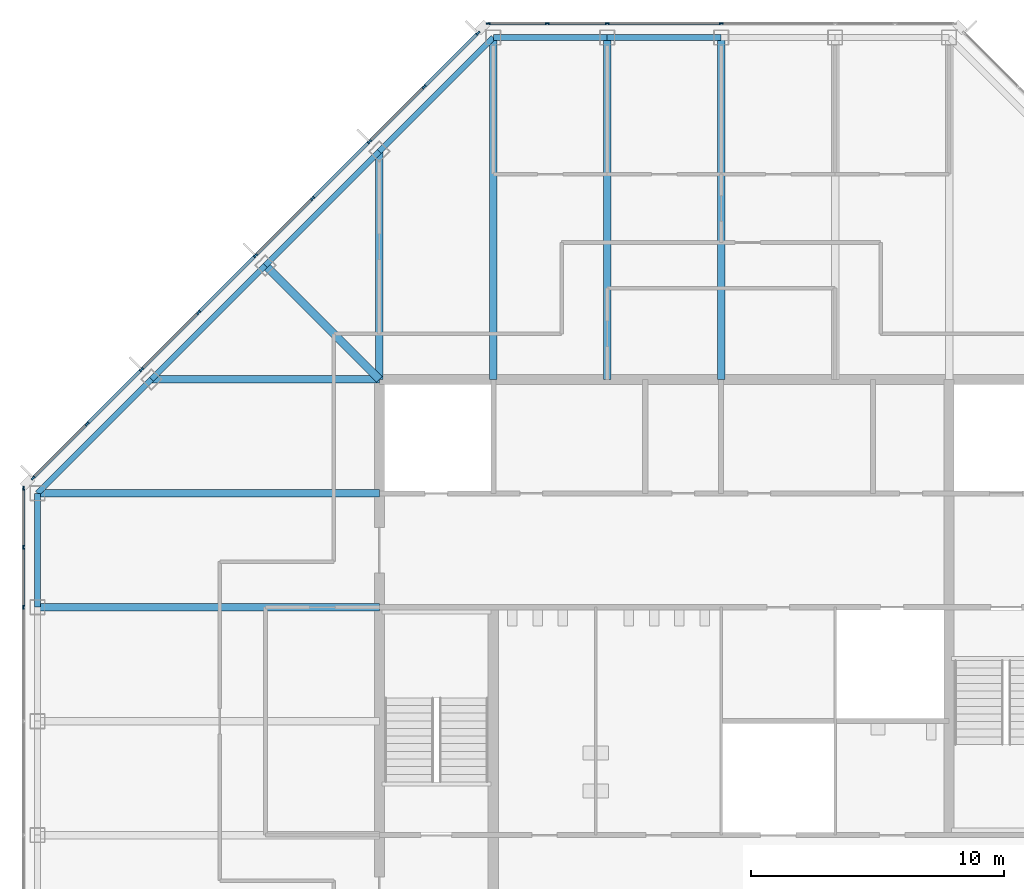
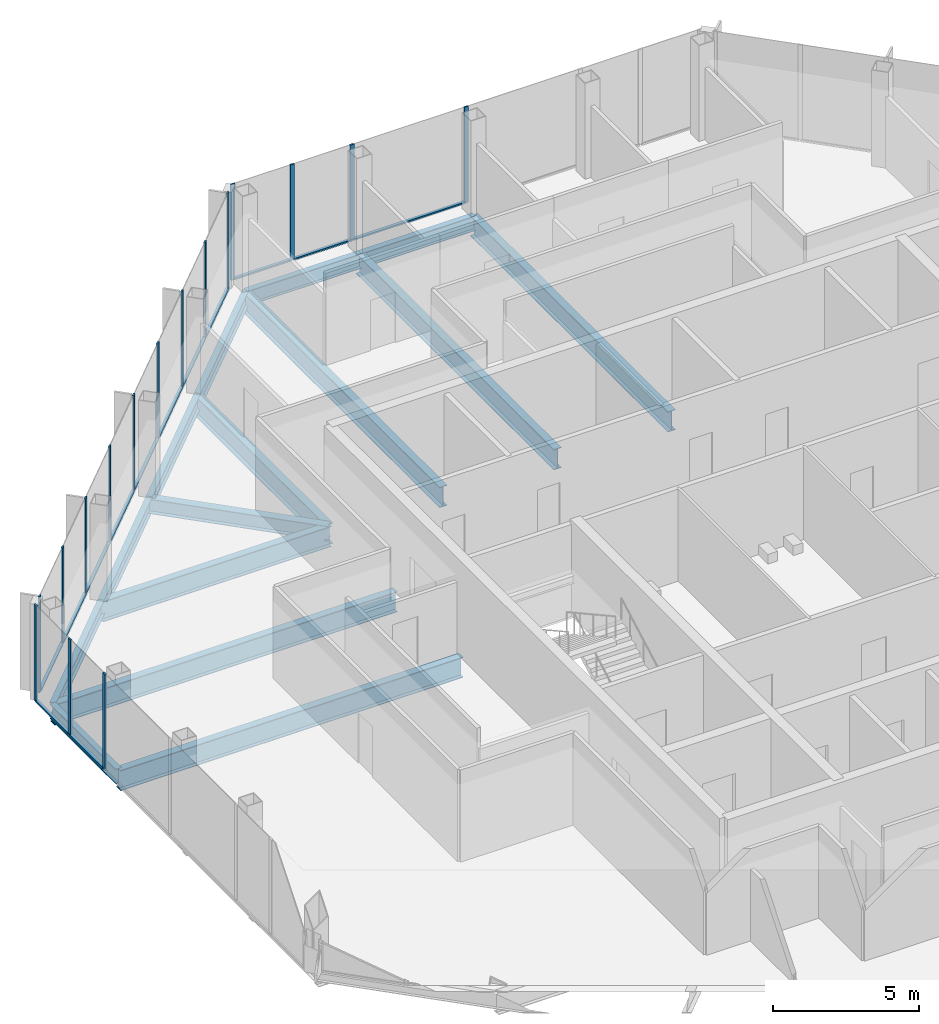
# One storey, part 6 of 14: 29 members, 15 beams, 3 elements without a shape of their own.
"""IFC4 building model written with IfcOpenShell, lengths in metres."""

from ifc_helpers import new_model, si_unit, direction, frame, origin, origin_2d, place, context, subcontext, project, spatial, rectangle, i_section, extrude, material, material_profile, profile_set, type_object, element, aggregate, save


model = new_model("IFC4")

# Units and contexts
model_context = context("Model", 3, precision=1e-05, world=origin(), true_north=direction((0.0, 1.0)))
body_context = subcontext(model_context, "Body", "Model", "MODEL_VIEW")
ifc_project = project(units=[si_unit("LENGTHUNIT", "METRE"), si_unit("AREAUNIT", "SQUARE_METRE"), si_unit("VOLUMEUNIT", "CUBIC_METRE"), si_unit("PLANEANGLEUNIT", "RADIAN"), si_unit("MASSUNIT", "GRAM", prefix="KILO")], contexts=[model_context])

# Site, building, storey
site_placement = place(None, origin())
site = spatial("IfcSite", under=ifc_project, at=site_placement, CompositionType="ELEMENT")
building_placement = place(site_placement, origin())
building = spatial("IfcBuilding", under=site, at=building_placement, Name="Corais Broadcast Tower", CompositionType="ELEMENT")
storey_placement = place(building_placement, frame((0.0, 0.0, 278.60009765625)))
storey = spatial("IfcBuildingStorey", under=building, at=storey_placement, Name="L65", CompositionType="ELEMENT", Elevation=278.60009765625)

# Beams
ifc_material_1 = material(Name="Steel ASTM A572 Grade 50", Category="steel")
ifc_material_profile_1 = material_profile(ifc_material_1, i_section(OverallWidth=0.323974609375, OverallDepth=0.611083984375, WebThickness=0.0126953125, FlangeThickness=0.01904296875, at=origin_2d()), Name="W610x155")
ifc_profile_set_1 = profile_set([ifc_material_profile_1], Name="Steel ASTM A572 Grade 50")
beam_type_1 = type_object("IfcBeamType", Name="Corner diagonal W610x155", PredefinedType="BEAM", material=ifc_profile_set_1)
beam_1_placement = place(storey_placement, frame((9.0, 45.0, -0.465576171875), z_axis=(0.707106781187, -0.707106781187, 0.0), x_axis=(0.707106781187, 0.707106781187, 0.0)))
element("IfcBeam", 1, at=beam_1_placement, inside=storey, type_object=beam_type_1, Name="B6 L/5 to K/6", PredefinedType="BEAM", context=body_context, shape_type="SweptSolid", body=[
    extrude(i_section(OverallWidth=0.323974609375, OverallDepth=0.611083984375, WebThickness=0.0126953125, FlangeThickness=0.01904296875, at=origin_2d()), origin(), (0.0, 0.0, 1.0), 6.364013671875),
])
ifc_material_2 = material(Name="Steel ASTM A572 Grade 50", Category="steel")
ifc_material_profile_2 = material_profile(ifc_material_2, i_section(OverallWidth=0.2939453125, OverallDepth=0.85107421875, WebThickness=0.01611328125, FlangeThickness=0.02685546875, at=origin_2d()), Name="W840x226")
ifc_profile_set_2 = profile_set([ifc_material_profile_2], Name="Steel ASTM A572 Grade 50")
beam_type_2 = type_object("IfcBeamType", Name="Floor beam W840x226", PredefinedType="BEAM", material=ifc_profile_set_2)
for number, where, z_axis, x_axis, name in (
    (2, (0.0, 31.5, -0.585693359375), (1.0, 0.0, 0.0), (0.0, 1.0, 0.0), "B1 H/3 to H/6"),
    (3, (0.0, 36.0, -0.585693359375), (1.0, 0.0, 0.0), (0.0, 1.0, 0.0), "B1 J/3 to J/6"),
):
    element("IfcBeam", number, at=place(storey_placement, frame(where, z_axis=z_axis, x_axis=x_axis)), inside=storey, type_object=beam_type_2, Name=name, PredefinedType="BEAM", context=body_context, shape_type="SweptSolid", body=[
        extrude(i_section(OverallWidth=0.2939453125, OverallDepth=0.85107421875, WebThickness=0.01611328125, FlangeThickness=0.02685546875, at=origin_2d()), origin(), (0.0, 0.0, 1.0), 13.5),
    ])
beam_2_placement = place(storey_placement, frame((13.5, 49.5, -0.585693359375), z_axis=(0.0, -1.0, 0.0), x_axis=(1.0, 0.0, 0.0)))
element("IfcBeam", 4, at=beam_2_placement, inside=storey, type_object=beam_type_2, Name="B1 M/6 to K/6", PredefinedType="BEAM", context=body_context, shape_type="SweptSolid", body=[
    extrude(i_section(OverallWidth=0.2939453125, OverallDepth=0.85107421875, WebThickness=0.01611328125, FlangeThickness=0.02685546875, at=origin_2d()), origin(), (0.0, 0.0, 1.0), 9.0),
])
for number, where, z_axis, x_axis, name in (
    (5, (18.0, 54.0, -0.585693359375), (0.0, -1.0, 0.0), (1.0, 0.0, 0.0), "B1 N/7 to K/7"),
    (6, (22.5, 54.0, -0.585693359375), (0.0, -1.0, 0.0), (1.0, 0.0, 0.0), "B1 N/8 to K/8"),
    (7, (27.0, 54.0, -0.585693359375), (0.0, -1.0, 0.0), (1.0, 0.0, 0.0), "B1 N/9 to K/9"),
):
    element("IfcBeam", number, at=place(storey_placement, frame(where, z_axis=z_axis, x_axis=x_axis)), inside=storey, type_object=beam_type_2, Name=name, PredefinedType="BEAM", context=body_context, shape_type="SweptSolid", body=[
        extrude(i_section(OverallWidth=0.2939453125, OverallDepth=0.85107421875, WebThickness=0.01611328125, FlangeThickness=0.02685546875, at=origin_2d()), origin(), (0.0, 0.0, 1.0), 13.5),
    ])
beam_3_placement = place(storey_placement, frame((4.5, 40.5, -0.585693359375), z_axis=(1.0, 0.0, 0.0), x_axis=(0.0, 1.0, 0.0)))
element("IfcBeam", 8, at=beam_3_placement, inside=storey, type_object=beam_type_2, Name="B1 K/4 to K/6", PredefinedType="BEAM", context=body_context, shape_type="SweptSolid", body=[
    extrude(i_section(OverallWidth=0.2939453125, OverallDepth=0.85107421875, WebThickness=0.01611328125, FlangeThickness=0.02685546875, at=origin_2d()), origin(), (0.0, 0.0, 1.0), 9.0),
])

# Curtain wall, members
ifc_material_3 = material(Name="Aluminium and glass", Category="aluminium")
curtain_wall_type = type_object("IfcCurtainWallType", Name="Unitised fritted curtain wall CW3", PredefinedType="NOTDEFINED", material=ifc_material_3)
curtain_wall_1_placement = place(storey_placement, origin())
curtain_wall_1 = element("IfcCurtainWall", 9, at=curtain_wall_1_placement, inside=storey, type_object=curtain_wall_type, Name="CW3 curtain wall L65 2", PredefinedType="NOTDEFINED")
ifc_material_4 = material(Name="Aluminium 6063-T6", Category="aluminium")
ifc_material_profile_3 = material_profile(ifc_material_4, rectangle(XDim=0.06494140625, YDim=0.159912109375, at=origin_2d()), Name="Mullion CW3 65x160")
ifc_profile_set_3 = profile_set([ifc_material_profile_3], Name="Aluminium 6063-T6")
member_type_1 = type_object("IfcMemberType", Name="Mullion CW3 65x160", PredefinedType="MULLION", material=ifc_profile_set_3)
member_1_placement = place(storey_placement, frame((-0.550048828125, 31.5, 0.0), z_axis=(0.0, 0.0, 1.0), x_axis=(-1.0, 0.0, 0.0)))
member_1 = element("IfcMember", 10, at=member_1_placement, type_object=member_type_1, Name="CW3 mullion 5", PredefinedType="MULLION", context=body_context, shape_type="SweptSolid", body=[
    extrude(rectangle(XDim=0.06494140625, YDim=0.159912109375, at=origin_2d()), origin(), (0.0, 0.0, 1.0), 4.0),
])
member_2_placement = place(storey_placement, frame((-0.550048828125, 33.864013671875, 0.0), z_axis=(0.0, 0.0, 1.0), x_axis=(-1.0, 0.0, 0.0)))
member_2 = element("IfcMember", 11, at=member_2_placement, type_object=member_type_1, Name="CW3 mullion 6", PredefinedType="MULLION", context=body_context, shape_type="SweptSolid", body=[
    extrude(rectangle(XDim=0.06494140625, YDim=0.159912109375, at=origin_2d()), origin(), (0.0, 0.0, 1.0), 4.0),
])
member_3_placement = place(storey_placement, frame((-0.550048828125, 36.1953125, 0.0), z_axis=(0.0, 0.0, 1.0), x_axis=(-1.0, 0.0, 0.0)))
member_3 = element("IfcMember", 12, at=member_3_placement, type_object=member_type_1, Name="CW3 mullion 7", PredefinedType="MULLION", context=body_context, shape_type="SweptSolid", body=[
    extrude(rectangle(XDim=0.06494140625, YDim=0.159912109375, at=origin_2d()), origin(), (0.0, 0.0, 1.0), 4.0),
])

curtain_wall_2_placement = place(storey_placement, origin())
curtain_wall_2 = element("IfcCurtainWall", 13, at=curtain_wall_2_placement, inside=storey, type_object=curtain_wall_type, Name="CW3 curtain wall L65 3", PredefinedType="NOTDEFINED")
member_4_placement = place(storey_placement, frame((-0.17333984375, 36.6044921875, 0.0), z_axis=(0.0, 0.0, 1.0), x_axis=(-0.707106781187, 0.707106781187, 0.0)))
member_4 = element("IfcMember", 14, at=member_4_placement, type_object=member_type_1, Name="CW3 mullion 1", PredefinedType="MULLION", context=body_context, shape_type="SweptSolid", body=[
    extrude(rectangle(XDim=0.06494140625, YDim=0.159912109375, at=origin_2d()), origin(), (0.0, 0.0, 1.0), 4.0),
])
member_5_placement = place(storey_placement, frame((1.957275390625, 38.735107421875, 0.0), z_axis=(0.0, 0.0, 1.0), x_axis=(-0.707106781187, 0.707106781187, 0.0)))
member_5 = element("IfcMember", 15, at=member_5_placement, type_object=member_type_1, Name="CW3 mullion 2", PredefinedType="MULLION", context=body_context, shape_type="SweptSolid", body=[
    extrude(rectangle(XDim=0.06494140625, YDim=0.159912109375, at=origin_2d()), origin(), (0.0, 0.0, 1.0), 4.0),
])
member_6_placement = place(storey_placement, frame((4.111083984375, 40.888916015625, 0.0), z_axis=(0.0, 0.0, 1.0), x_axis=(-0.707106781187, 0.707106781187, 0.0)))
member_6 = element("IfcMember", 16, at=member_6_placement, type_object=member_type_1, Name="CW3 mullion 3", PredefinedType="MULLION", context=body_context, shape_type="SweptSolid", body=[
    extrude(rectangle(XDim=0.06494140625, YDim=0.159912109375, at=origin_2d()), origin(), (0.0, 0.0, 1.0), 4.0),
])
member_7_placement = place(storey_placement, frame((6.361083984375, 43.138916015625, 0.0), z_axis=(0.0, 0.0, 1.0), x_axis=(-0.707106781187, 0.707106781187, 0.0)))
member_7 = element("IfcMember", 17, at=member_7_placement, type_object=member_type_1, Name="CW3 mullion 4", PredefinedType="MULLION", context=body_context, shape_type="SweptSolid", body=[
    extrude(rectangle(XDim=0.06494140625, YDim=0.159912109375, at=origin_2d()), origin(), (0.0, 0.0, 1.0), 4.0),
])
member_8_placement = place(storey_placement, frame((8.611083984375, 45.388916015625, 0.0), z_axis=(0.0, 0.0, 1.0), x_axis=(-0.707106781187, 0.707106781187, 0.0)))
member_8 = element("IfcMember", 18, at=member_8_placement, type_object=member_type_1, Name="CW3 mullion 5", PredefinedType="MULLION", context=body_context, shape_type="SweptSolid", body=[
    extrude(rectangle(XDim=0.06494140625, YDim=0.159912109375, at=origin_2d()), origin(), (0.0, 0.0, 1.0), 4.0),
])
member_9_placement = place(storey_placement, frame((10.861083984375, 47.638916015625, 0.0), z_axis=(0.0, 0.0, 1.0), x_axis=(-0.707106781187, 0.707106781187, 0.0)))
member_9 = element("IfcMember", 19, at=member_9_placement, type_object=member_type_1, Name="CW3 mullion 6", PredefinedType="MULLION", context=body_context, shape_type="SweptSolid", body=[
    extrude(rectangle(XDim=0.06494140625, YDim=0.159912109375, at=origin_2d()), origin(), (0.0, 0.0, 1.0), 4.0),
])
member_10_placement = place(storey_placement, frame((13.111083984375, 49.888916015625, 0.0), z_axis=(0.0, 0.0, 1.0), x_axis=(-0.707106781187, 0.707106781187, 0.0)))
member_10 = element("IfcMember", 20, at=member_10_placement, type_object=member_type_1, Name="CW3 mullion 7", PredefinedType="MULLION", context=body_context, shape_type="SweptSolid", body=[
    extrude(rectangle(XDim=0.06494140625, YDim=0.159912109375, at=origin_2d()), origin(), (0.0, 0.0, 1.0), 4.0),
])
member_11_placement = place(storey_placement, frame((15.264892578125, 52.042724609375, 0.0), z_axis=(0.0, 0.0, 1.0), x_axis=(-0.707106781187, 0.707106781187, 0.0)))
member_11 = element("IfcMember", 21, at=member_11_placement, type_object=member_type_1, Name="CW3 mullion 8", PredefinedType="MULLION", context=body_context, shape_type="SweptSolid", body=[
    extrude(rectangle(XDim=0.06494140625, YDim=0.159912109375, at=origin_2d()), origin(), (0.0, 0.0, 1.0), 4.0),
])
member_12_placement = place(storey_placement, frame((17.3955078125, 54.17333984375, 0.0), z_axis=(0.0, 0.0, 1.0), x_axis=(-0.707106781187, 0.707106781187, 0.0)))
member_12 = element("IfcMember", 22, at=member_12_placement, type_object=member_type_1, Name="CW3 mullion 9", PredefinedType="MULLION", context=body_context, shape_type="SweptSolid", body=[
    extrude(rectangle(XDim=0.06494140625, YDim=0.159912109375, at=origin_2d()), origin(), (0.0, 0.0, 1.0), 4.0),
])

curtain_wall_3_placement = place(storey_placement, origin())
curtain_wall_3 = element("IfcCurtainWall", 23, at=curtain_wall_3_placement, inside=storey, type_object=curtain_wall_type, Name="CW3 curtain wall L65 4", PredefinedType="NOTDEFINED")
member_13_placement = place(storey_placement, frame((17.8046875, 54.550048828125, 0.0), z_axis=(0.0, 0.0, 1.0), x_axis=(0.0, 1.0, 0.0)))
member_13 = element("IfcMember", 24, at=member_13_placement, type_object=member_type_1, Name="CW3 mullion 1", PredefinedType="MULLION", context=body_context, shape_type="SweptSolid", body=[
    extrude(rectangle(XDim=0.06494140625, YDim=0.159912109375, at=origin_2d()), origin(), (0.0, 0.0, 1.0), 4.0),
])
member_14_placement = place(storey_placement, frame((20.135986328125, 54.550048828125, 0.0), z_axis=(0.0, 0.0, 1.0), x_axis=(0.0, 1.0, 0.0)))
member_14 = element("IfcMember", 25, at=member_14_placement, type_object=member_type_1, Name="CW3 mullion 2", PredefinedType="MULLION", context=body_context, shape_type="SweptSolid", body=[
    extrude(rectangle(XDim=0.06494140625, YDim=0.159912109375, at=origin_2d()), origin(), (0.0, 0.0, 1.0), 4.0),
])
member_15_placement = place(storey_placement, frame((22.5, 54.550048828125, 0.0), z_axis=(0.0, 0.0, 1.0), x_axis=(0.0, 1.0, 0.0)))
member_15 = element("IfcMember", 26, at=member_15_placement, type_object=member_type_1, Name="CW3 mullion 3", PredefinedType="MULLION", context=body_context, shape_type="SweptSolid", body=[
    extrude(rectangle(XDim=0.06494140625, YDim=0.159912109375, at=origin_2d()), origin(), (0.0, 0.0, 1.0), 4.0),
])
member_16_placement = place(storey_placement, frame((27.0, 54.550048828125, 0.0), z_axis=(0.0, 0.0, 1.0), x_axis=(0.0, 1.0, 0.0)))
member_16 = element("IfcMember", 27, at=member_16_placement, type_object=member_type_1, Name="CW3 mullion 4", PredefinedType="MULLION", context=body_context, shape_type="SweptSolid", body=[
    extrude(rectangle(XDim=0.06494140625, YDim=0.159912109375, at=origin_2d()), origin(), (0.0, 0.0, 1.0), 4.0),
])

# Beams
ifc_material_5 = material(Name="Steel ASTM A572 Grade 50", Category="steel")
ifc_material_profile_4 = material_profile(ifc_material_5, i_section(OverallWidth=0.22998046875, OverallDepth=0.616943359375, WebThickness=0.01318359375, FlangeThickness=0.022216796875, at=origin_2d()), Name="W610x140")
ifc_profile_set_4 = profile_set([ifc_material_profile_4], Name="Steel ASTM A572 Grade 50")
beam_type_3 = type_object("IfcBeamType", Name="Spandrel W610x140", PredefinedType="BEAM", material=ifc_profile_set_4)
beam_4_placement = place(storey_placement, frame((0.0, 36.0, -0.468505859375), z_axis=(0.0, -1.0, 0.0), x_axis=(1.0, 0.0, 0.0)))
element("IfcBeam", 28, at=beam_4_placement, inside=storey, type_object=beam_type_3, Name="SB3 J/3 to H/3", PredefinedType="BEAM", context=body_context, shape_type="SweptSolid", body=[
    extrude(i_section(OverallWidth=0.22998046875, OverallDepth=0.616943359375, WebThickness=0.01318359375, FlangeThickness=0.022216796875, at=origin_2d()), origin(), (0.0, 0.0, 1.0), 4.5),
])
for number, where, z_axis, x_axis, name in (
    (29, (13.5, 49.5, -0.468505859375), (-0.707106781187, -0.707106781187, 0.0), (0.707106781187, -0.707106781187, 0.0), "SB3 M/6 to L/5"),
    (30, (18.0, 54.0, -0.468505859375), (-0.707106781187, -0.707106781187, 0.0), (0.707106781187, -0.707106781187, 0.0), "SB3 N/7 to M/6"),
):
    element("IfcBeam", number, at=place(storey_placement, frame(where, z_axis=z_axis, x_axis=x_axis)), inside=storey, type_object=beam_type_3, Name=name, PredefinedType="BEAM", context=body_context, shape_type="SweptSolid", body=[
        extrude(i_section(OverallWidth=0.22998046875, OverallDepth=0.616943359375, WebThickness=0.01318359375, FlangeThickness=0.022216796875, at=origin_2d()), origin(), (0.0, 0.0, 1.0), 6.364013671875),
    ])
for number, where, z_axis, x_axis, name in (
    (31, (22.5, 54.0, -0.468505859375), (-1.0, 0.0, 0.0), (0.0, -1.0, 0.0), "SB3 N/8 to N/7"),
    (32, (27.0, 54.0, -0.468505859375), (-1.0, 0.0, 0.0), (0.0, -1.0, 0.0), "SB3 N/9 to N/8"),
):
    element("IfcBeam", number, at=place(storey_placement, frame(where, z_axis=z_axis, x_axis=x_axis)), inside=storey, type_object=beam_type_3, Name=name, PredefinedType="BEAM", context=body_context, shape_type="SweptSolid", body=[
        extrude(i_section(OverallWidth=0.22998046875, OverallDepth=0.616943359375, WebThickness=0.01318359375, FlangeThickness=0.022216796875, at=origin_2d()), origin(), (0.0, 0.0, 1.0), 4.5),
    ])
for number, where, z_axis, x_axis, name in (
    (33, (4.5, 40.5, -0.468505859375), (-0.707106781187, -0.707106781187, 0.0), (0.707106781187, -0.707106781187, 0.0), "SB3 K/4 to J/3"),
    (34, (9.0, 45.0, -0.468505859375), (-0.707106781187, -0.707106781187, 0.0), (0.707106781187, -0.707106781187, 0.0), "SB3 L/5 to K/4"),
):
    element("IfcBeam", number, at=place(storey_placement, frame(where, z_axis=z_axis, x_axis=x_axis)), inside=storey, type_object=beam_type_3, Name=name, PredefinedType="BEAM", context=body_context, shape_type="SweptSolid", body=[
        extrude(i_section(OverallWidth=0.22998046875, OverallDepth=0.616943359375, WebThickness=0.01318359375, FlangeThickness=0.022216796875, at=origin_2d()), origin(), (0.0, 0.0, 1.0), 6.364013671875),
    ])

# Member
ifc_material_6 = material(Name="Aluminium 6063-T6", Category="aluminium")
ifc_material_profile_5 = material_profile(ifc_material_6, rectangle(XDim=0.1201171875, YDim=0.06494140625, at=origin_2d()), Name="Transom CW3 65x120")
ifc_profile_set_5 = profile_set([ifc_material_profile_5], Name="Aluminium 6063-T6")
member_type_2 = type_object("IfcMemberType", Name="Transom CW3 65x120", PredefinedType="USERDEFINED", material=ifc_profile_set_5)
member_17_placement = place(storey_placement, frame((-0.550048828125, 31.532470703125, 0.032470703125), z_axis=(0.0, 1.0, 0.0), x_axis=(-1.0, 0.0, 0.0)))
member_17 = element("IfcMember", 35, at=member_17_placement, type_object=member_type_2, Name="CW3 transom 5.1", ObjectType="TRANSOM", PredefinedType="USERDEFINED", context=body_context, shape_type="SweptSolid", body=[
    extrude(rectangle(XDim=0.1201171875, YDim=0.06494140625, at=origin_2d()), origin(), (0.0, 0.0, 1.0), 2.298828125),
])

member_18_placement = place(storey_placement, frame((-0.550048828125, 33.896484375, 0.032470703125), z_axis=(0.0, 1.0, 0.0), x_axis=(-1.0, 0.0, 0.0)))
member_18 = element("IfcMember", 36, at=member_18_placement, type_object=member_type_2, Name="CW3 transom 6.1", ObjectType="TRANSOM", PredefinedType="USERDEFINED", context=body_context, shape_type="SweptSolid", body=[
    extrude(rectangle(XDim=0.1201171875, YDim=0.06494140625, at=origin_2d()), origin(), (0.0, 0.0, 1.0), 2.266357421875),
])

aggregate(curtain_wall_1, [member_1, member_2, member_3, member_17, member_18])

member_19_placement = place(storey_placement, frame((-0.150390625, 36.62744140625, 0.032470703125), z_axis=(0.707106781187, 0.707106781187, 0.0), x_axis=(-0.707106781187, 0.707106781187, 0.0)))
member_19 = element("IfcMember", 37, at=member_19_placement, type_object=member_type_2, Name="CW3 transom 1.1", ObjectType="TRANSOM", PredefinedType="USERDEFINED", context=body_context, shape_type="SweptSolid", body=[
    extrude(rectangle(XDim=0.1201171875, YDim=0.06494140625, at=origin_2d()), origin(), (0.0, 0.0, 1.0), 2.9482421875),
])

member_20_placement = place(storey_placement, frame((1.980224609375, 38.758056640625, 0.032470703125), z_axis=(0.707106781187, 0.707106781187, 0.0), x_axis=(-0.707106781187, 0.707106781187, 0.0)))
member_20 = element("IfcMember", 38, at=member_20_placement, type_object=member_type_2, Name="CW3 transom 2.1", ObjectType="TRANSOM", PredefinedType="USERDEFINED", context=body_context, shape_type="SweptSolid", body=[
    extrude(rectangle(XDim=0.1201171875, YDim=0.06494140625, at=origin_2d()), origin(), (0.0, 0.0, 1.0), 2.98095703125),
])

member_21_placement = place(storey_placement, frame((4.134033203125, 40.911865234375, 0.032470703125), z_axis=(0.707106781187, 0.707106781187, 0.0), x_axis=(-0.707106781187, 0.707106781187, 0.0)))
member_21 = element("IfcMember", 39, at=member_21_placement, type_object=member_type_2, Name="CW3 transom 3.1", ObjectType="TRANSOM", PredefinedType="USERDEFINED", context=body_context, shape_type="SweptSolid", body=[
    extrude(rectangle(XDim=0.1201171875, YDim=0.06494140625, at=origin_2d()), origin(), (0.0, 0.0, 1.0), 3.1171875),
])

member_22_placement = place(storey_placement, frame((6.384033203125, 43.161865234375, 0.032470703125), z_axis=(0.707106781187, 0.707106781187, 0.0), x_axis=(-0.707106781187, 0.707106781187, 0.0)))
member_22 = element("IfcMember", 40, at=member_22_placement, type_object=member_type_2, Name="CW3 transom 4.1", ObjectType="TRANSOM", PredefinedType="USERDEFINED", context=body_context, shape_type="SweptSolid", body=[
    extrude(rectangle(XDim=0.1201171875, YDim=0.06494140625, at=origin_2d()), origin(), (0.0, 0.0, 1.0), 3.1171875),
])

member_23_placement = place(storey_placement, frame((8.634033203125, 45.411865234375, 0.032470703125), z_axis=(0.707106781187, 0.707106781187, 0.0), x_axis=(-0.707106781187, 0.707106781187, 0.0)))
member_23 = element("IfcMember", 41, at=member_23_placement, type_object=member_type_2, Name="CW3 transom 5.1", ObjectType="TRANSOM", PredefinedType="USERDEFINED", context=body_context, shape_type="SweptSolid", body=[
    extrude(rectangle(XDim=0.1201171875, YDim=0.06494140625, at=origin_2d()), origin(), (0.0, 0.0, 1.0), 3.1171875),
])

member_24_placement = place(storey_placement, frame((10.884033203125, 47.661865234375, 0.032470703125), z_axis=(0.707106781187, 0.707106781187, 0.0), x_axis=(-0.707106781187, 0.707106781187, 0.0)))
member_24 = element("IfcMember", 42, at=member_24_placement, type_object=member_type_2, Name="CW3 transom 6.1", ObjectType="TRANSOM", PredefinedType="USERDEFINED", context=body_context, shape_type="SweptSolid", body=[
    extrude(rectangle(XDim=0.1201171875, YDim=0.06494140625, at=origin_2d()), origin(), (0.0, 0.0, 1.0), 3.1171875),
])

member_25_placement = place(storey_placement, frame((13.134033203125, 49.911865234375, 0.032470703125), z_axis=(0.70714773134, 0.707065828661, 0.0), x_axis=(-0.707065828661, 0.70714773134, 0.0)))
member_25 = element("IfcMember", 43, at=member_25_placement, type_object=member_type_2, Name="CW3 transom 7.1", ObjectType="TRANSOM", PredefinedType="USERDEFINED", context=body_context, shape_type="SweptSolid", body=[
    extrude(rectangle(XDim=0.1201171875, YDim=0.06494140625, at=origin_2d()), origin(), (0.0, 0.0, 1.0), 2.98095703125),
])

member_26_placement = place(storey_placement, frame((15.287841796875, 52.065673828125, 0.032470703125), z_axis=(0.707106781187, 0.707106781187, 0.0), x_axis=(-0.707106781187, 0.707106781187, 0.0)))
member_26 = element("IfcMember", 44, at=member_26_placement, type_object=member_type_2, Name="CW3 transom 8.1", ObjectType="TRANSOM", PredefinedType="USERDEFINED", context=body_context, shape_type="SweptSolid", body=[
    extrude(rectangle(XDim=0.1201171875, YDim=0.06494140625, at=origin_2d()), origin(), (0.0, 0.0, 1.0), 2.9482421875),
])

aggregate(curtain_wall_2, [member_4, member_5, member_6, member_7, member_8, member_9, member_10, member_11, member_12, member_19, member_20, member_21, member_22, member_23, member_24, member_25, member_26])

member_27_placement = place(storey_placement, frame((17.837158203125, 54.550048828125, 0.032470703125), z_axis=(1.0, 0.0, 0.0), x_axis=(0.0, 1.0, 0.0)))
member_27 = element("IfcMember", 45, at=member_27_placement, type_object=member_type_2, Name="CW3 transom 1.1", ObjectType="TRANSOM", PredefinedType="USERDEFINED", context=body_context, shape_type="SweptSolid", body=[
    extrude(rectangle(XDim=0.1201171875, YDim=0.06494140625, at=origin_2d()), origin(), (0.0, 0.0, 1.0), 2.266357421875),
])

member_28_placement = place(storey_placement, frame((20.168701171875, 54.550048828125, 0.032470703125), z_axis=(1.0, 0.0, 0.0), x_axis=(0.0, 1.0, 0.0)))
member_28 = element("IfcMember", 46, at=member_28_placement, type_object=member_type_2, Name="CW3 transom 2.1", ObjectType="TRANSOM", PredefinedType="USERDEFINED", context=body_context, shape_type="SweptSolid", body=[
    extrude(rectangle(XDim=0.1201171875, YDim=0.06494140625, at=origin_2d()), origin(), (0.0, 0.0, 1.0), 2.298828125),
])

member_29_placement = place(storey_placement, frame((22.532470703125, 54.550048828125, 0.032470703125), z_axis=(1.0, 0.0, 0.0), x_axis=(0.0, 1.0, 0.0)))
member_29 = element("IfcMember", 47, at=member_29_placement, type_object=member_type_2, Name="CW3 transom 3.1", ObjectType="TRANSOM", PredefinedType="USERDEFINED", context=body_context, shape_type="SweptSolid", body=[
    extrude(rectangle(XDim=0.1201171875, YDim=0.06494140625, at=origin_2d()), origin(), (0.0, 0.0, 1.0), 4.43505859375),
])

aggregate(curtain_wall_3, [member_13, member_14, member_15, member_16, member_27, member_28, member_29])

save(model, "model.ifc")
